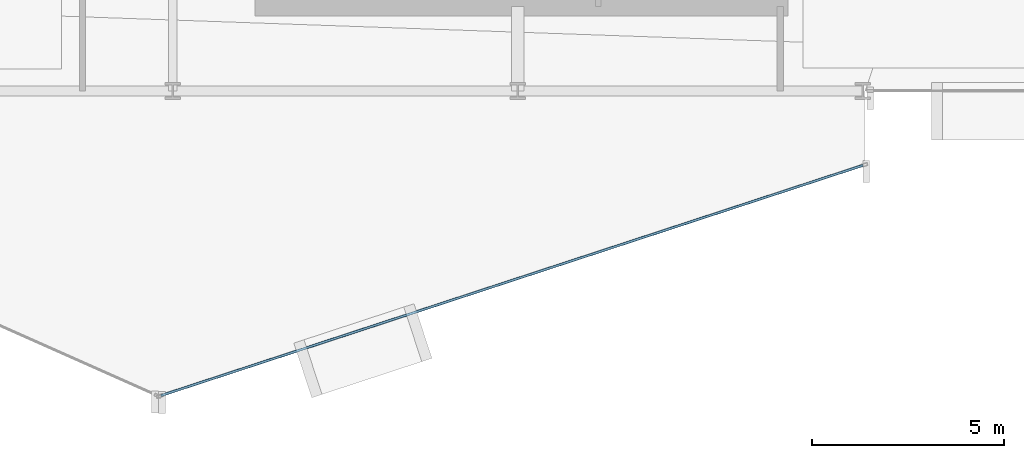
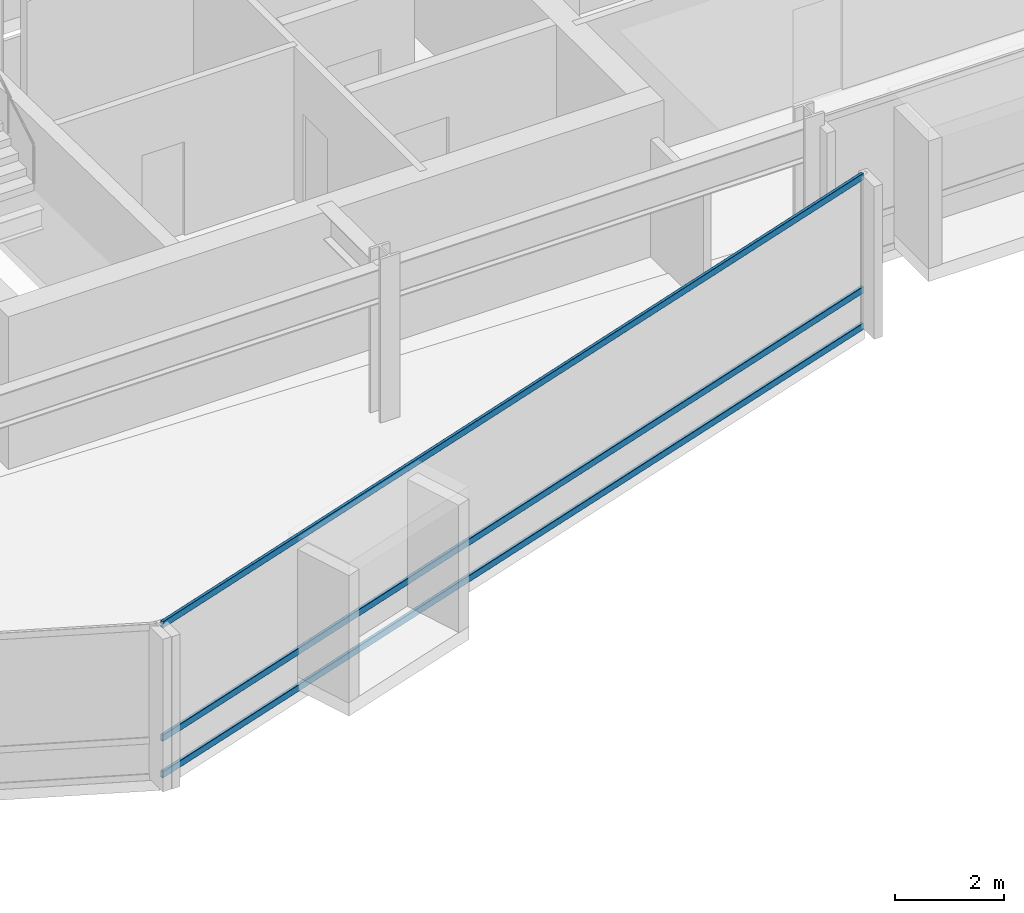
# One storey, part 9 of 29: 3 members, 1 element without a shape of its own.
"""IFC4 building model written with IfcOpenShell, lengths in metres."""

import ifcopenshell
import ifcopenshell.guid

model = None  # the IFC model being written
_history = None  # IfcOwnerHistory: only IFC2X3 demands one
_inside = {}  # id of a spatial element -> (the spatial element, [elements in it])
_under = {}  # id of a project, library or spatial element -> (it, [spatial elements below it])
_declared = {}  # id of a project -> (the project, [libraries it declares])
_typed = {}  # id of a type object -> (the type object, [elements of that type])
_made_of = {}  # id of a material, layer set ... -> (it, [elements and type objects made of it])


def new_model(schema):
    """Start an empty IFC model of exactly this schema.

    Asked for "IFC4X3", IfcOpenShell would pick the latest addendum, in which some entities
    have other attributes; the version numbers below select the first issue.
    IFC2X3 requires an IfcOwnerHistory on every rooted entity: one is made here for all.
    """
    global model, _history
    if schema == "IFC4X3":
        model = ifcopenshell.file(schema_version=(4, 3, 0, 0))
    else:
        model = ifcopenshell.file(schema=schema)
    _inside.clear()
    _under.clear()
    _declared.clear()
    _typed.clear()
    _made_of.clear()
    _history = None
    if model.schema == "IFC2X3":
        org = make("IfcOrganization", Name="unknown")
        user = make(
            "IfcPersonAndOrganization",
            ThePerson=make("IfcPerson", FamilyName="unknown"),
            TheOrganization=org,
        )
        app = make(
            "IfcApplication",
            ApplicationDeveloper=org,
            Version="unknown",
            ApplicationFullName="unknown",
            ApplicationIdentifier="unknown",
        )
        _history = make(
            "IfcOwnerHistory",
            OwningUser=user,
            OwningApplication=app,
            ChangeAction="ADDED",
            CreationDate=0,
        )
    return model


def make(cls, **values):
    """One entity of the class cls with the attributes given. An attribute that is None is left unset."""
    return model.create_entity(
        cls, **{name: value for name, value in values.items() if value is not None}
    )


def rooted(cls, **values):
    """An entity with a GlobalId (a new one), such as an element, a storey or a relation."""
    return make(cls, GlobalId=ifcopenshell.guid.new(), OwnerHistory=_history, **values)


def si_unit(unit_type, name, prefix=None):
    """IfcSIUnit, for example si_unit("LENGTHUNIT", "METRE", prefix="MILLI")."""
    return make("IfcSIUnit", UnitType=unit_type, Prefix=prefix, Name=name)


def assignment(units):
    """IfcUnitAssignment: the units of a project."""
    return None if units is None else make("IfcUnitAssignment", Units=units)


def point(xyz):
    """IfcCartesianPoint."""
    return None if xyz is None else make("IfcCartesianPoint", Coordinates=xyz)


def direction(xyz):
    """IfcDirection."""
    return None if xyz is None else make("IfcDirection", DirectionRatios=xyz)


def frame(location, z_axis=None, x_axis=None):
    """IfcAxis2Placement3D, a coordinate frame: its origin and axes. An axis left out is left unset."""
    return make(
        "IfcAxis2Placement3D",
        Location=point(location),
        Axis=direction(z_axis),
        RefDirection=direction(x_axis),
    )


def frame_2d(location, x_axis=None):
    """IfcAxis2Placement2D, a coordinate frame in the plane: its origin and x axis."""
    return make(
        "IfcAxis2Placement2D", Location=point(location), RefDirection=direction(x_axis)
    )


def origin():
    """The frame at (0, 0, 0) with its axes left unset."""
    return frame((0.0, 0.0, 0.0))


def origin_2d():
    """The frame at (0, 0) in the plane with its x axis left unset."""
    return frame_2d((0.0, 0.0))


def place(relative_to, where):
    """IfcLocalPlacement: puts the frame where relative to a parent placement (None: the world)."""
    return make(
        "IfcLocalPlacement", PlacementRelTo=relative_to, RelativePlacement=where
    )


def context(
    kind, dimensions, precision=None, world=None, true_north=None, identifier=None
):
    """IfcGeometricRepresentationContext, for example the 3D "Model" context."""
    return make(
        "IfcGeometricRepresentationContext",
        ContextIdentifier=identifier,
        ContextType=kind,
        CoordinateSpaceDimension=dimensions,
        Precision=precision,
        WorldCoordinateSystem=world,
        TrueNorth=true_north,
    )


def subcontext(parent, identifier, kind, view, scale=None):
    """IfcGeometricRepresentationSubContext, for example "Body" below "Model"."""
    return make(
        "IfcGeometricRepresentationSubContext",
        ContextIdentifier=identifier,
        ContextType=kind,
        ParentContext=parent,
        TargetScale=scale,
        TargetView=view,
    )


def project(units=None, contexts=None):
    """IfcProject with its units and contexts."""
    return rooted(
        "IfcProject",
        Name="project",
        RepresentationContexts=contexts,
        UnitsInContext=assignment(units),
    )


def spatial(cls, under=None, at=None, **own):
    """A site, building, storey or space (cls), placed at a placement, below another one or the project."""
    s = rooted(cls, ObjectPlacement=at, **own)
    if under is not None:
        _under.setdefault(under.id(), (under, []))[1].append(s)
    return s


def profile(cls, at=None, kind="AREA", **sizes):
    """A parametric profile (cls). Its sizes go by their IFC names, for example OverallWidth=200.0."""
    return make(cls, ProfileType=kind, Position=at, **sizes)


def hollow_rectangle(**sizes):
    """IfcRectangleHollowProfileDef."""
    return profile("IfcRectangleHollowProfileDef", **sizes)


def extrude(swept, where, along, depth):
    """IfcExtrudedAreaSolid: the profile swept, set in the frame where, extruded along a direction by depth."""
    return make(
        "IfcExtrudedAreaSolid",
        SweptArea=swept,
        Position=where,
        ExtrudedDirection=direction(along),
        Depth=depth,
    )


def shape(context_of_items, identifier, shape_type, items):
    """IfcShapeRepresentation: the items that make up one representation, for example the "Body"."""
    return make(
        "IfcShapeRepresentation",
        ContextOfItems=context_of_items,
        RepresentationIdentifier=identifier,
        RepresentationType=shape_type,
        Items=items,
    )


def material(Name=None, Category=None):
    """IfcMaterial."""
    return make("IfcMaterial", Name=Name, Category=Category)


def layer(
    of_material, thickness, ventilated=None, Name=None, Category=None, Priority=None
):
    """IfcMaterialLayer: one layer of a wall or slab, of a material (None: an air gap)."""
    return make(
        "IfcMaterialLayer",
        Material=of_material,
        LayerThickness=thickness,
        IsVentilated=ventilated,
        Name=Name,
        Category=Category,
        Priority=Priority,
    )


def layer_set(layers, Name=None):
    """IfcMaterialLayerSet."""
    return make("IfcMaterialLayerSet", MaterialLayers=layers, LayerSetName=Name)


def material_profile(
    of_material, cross_section, Name=None, Category=None, Priority=None
):
    """IfcMaterialProfile: a cross section and its material."""
    return make(
        "IfcMaterialProfile",
        Name=Name,
        Material=of_material,
        Profile=cross_section,
        Priority=Priority,
        Category=Category,
    )


def profile_set(profiles, Name=None, composite=None):
    """IfcMaterialProfileSet."""
    return make(
        "IfcMaterialProfileSet",
        Name=Name,
        MaterialProfiles=profiles,
        CompositeProfile=composite,
    )


def made_of(thing, what):
    """Note that an element or type object is made of a material, layer set ...; save() writes the relation."""
    if what is not None:
        _made_of.setdefault(what.id(), (what, []))[1].append(thing)
    return thing


def type_object(cls, material=None, **own):
    """A type object (cls), such as IfcWallType, which elements share."""
    return made_of(rooted(cls, **own), material)


def element(
    cls,
    number,
    at=None,
    inside=None,
    cuts=None,
    type_object=None,
    material=None,
    context=None,
    identifier="Body",
    shape_type=None,
    held_by="IfcProductDefinitionShape",
    body=None,
    shapes=None,
    **own,
):
    """One element of the class cls, such as IfcWall. Its Tag is "e" and its number.

    at: its placement. inside: the storey or other place that contains it. cuts: it is an
    opening in that element (IfcRelVoidsElement). A single representation is given by context,
    identifier, shape_type and body (its items); several are given by shapes. held_by: the class
    of the entity that holds the representations. save() writes the other relations.
    """
    e = rooted(cls, Tag="e%d" % number, ObjectPlacement=at, **own)
    if body is not None:
        shapes = [shape(context, identifier, shape_type, body)]
    if shapes is not None:
        e.Representation = make(held_by, Representations=shapes)
    if inside is not None:
        _inside.setdefault(inside.id(), (inside, []))[1].append(e)
    if cuts is not None:
        rooted(
            "IfcRelVoidsElement", RelatingBuildingElement=cuts, RelatedOpeningElement=e
        )
    if type_object is not None:
        _typed.setdefault(type_object.id(), (type_object, []))[1].append(e)
    return made_of(e, material)


def aggregate(whole, parts):
    """IfcRelAggregates: a whole, such as a stair, and the parts it consists of."""
    return rooted("IfcRelAggregates", RelatingObject=whole, RelatedObjects=parts)


def save(model, path):
    """Write the relations noted so far, then the file.

    IfcRelAggregates (storeys below a building ...), IfcRelContainedInSpatialStructure (elements
    in a storey), IfcRelDefinesByType, IfcRelAssociatesMaterial and IfcRelDeclares: one each for
    every whole, place, type object, material and project.
    """
    for whole, parts in _under.values():
        aggregate(whole, parts)
    for where, things in _inside.values():
        rooted(
            "IfcRelContainedInSpatialStructure",
            RelatedElements=things,
            RelatingStructure=where,
        )
    for kind, things in _typed.values():
        rooted("IfcRelDefinesByType", RelatedObjects=things, RelatingType=kind)
    for what, things in _made_of.values():
        rooted("IfcRelAssociatesMaterial", RelatedObjects=things, RelatingMaterial=what)
    for by, libraries in _declared.values():
        rooted("IfcRelDeclares", RelatingContext=by, RelatedDefinitions=libraries)
    model.write(path)


model = new_model("IFC4")

# Units and contexts
model_context = context("Model", 3, precision=1e-05, world=origin(), true_north=direction((0.0, 1.0)))
body_context = subcontext(model_context, "Body", "Model", "MODEL_VIEW")
ifc_project = project(units=[si_unit("LENGTHUNIT", "METRE"), si_unit("AREAUNIT", "SQUARE_METRE"), si_unit("VOLUMEUNIT", "CUBIC_METRE"), si_unit("PLANEANGLEUNIT", "RADIAN"), si_unit("MASSUNIT", "GRAM", prefix="KILO")], contexts=[model_context])

# Site, building, storey
site_placement = place(None, origin())
site = spatial("IfcSite", under=ifc_project, at=site_placement, CompositionType="ELEMENT")
building_placement = place(site_placement, origin())
building = spatial("IfcBuilding", under=site, at=building_placement, Name="Solvaryn Broadcast Tower", CompositionType="ELEMENT")
storey_placement = place(building_placement, frame((0.0, 0.0, 143.300048828125)))
storey = spatial("IfcBuildingStorey", under=building, at=storey_placement, Name="L35", CompositionType="ELEMENT", Elevation=143.300048828125)

# Curtain wall, members
ifc_material_1 = material(Name="Aluminium and Terracotta Unitised Curtain Wall", Category="masonry")
ifc_layer = layer(ifc_material_1, 0.199951171875)
ifc_layer_set = layer_set([ifc_layer], Name="CW-SYS2-LOWMID")
curtain_wall_type = type_object("IfcCurtainWallType", Name="CW-SYS2-LOWMID", PredefinedType="NOTDEFINED", material=ifc_layer_set)
curtain_wall_placement = place(storey_placement, origin())
curtain_wall = element("IfcCurtainWall", 1, at=curtain_wall_placement, inside=storey, type_object=curtain_wall_type, Name="L35 Curtain Wall DR4", PredefinedType="NOTDEFINED")
ifc_material_2 = material(Name="Anodised Aluminium 6063-T6", Category="aluminium")
ifc_material_profile = material_profile(ifc_material_2, hollow_rectangle(XDim=0.06494140625, YDim=0.14990234375, WallThickness=0.00390625, InnerFilletRadius=0.00390625, OuterFilletRadius=0.008056640625, at=origin_2d()))
ifc_profile_set = profile_set([ifc_material_profile], Name="Anodised Aluminium 6063-T6")
member_type = type_object("IfcMemberType", Name="CW-TRN-150", PredefinedType="USERDEFINED", material=ifc_profile_set)
member_1_placement = place(storey_placement, frame((26.693115234375, 1.052734375, 0.030029296875), z_axis=(0.950198373323, 0.31164571445, 0.0), x_axis=(-0.31164571445, 0.950198373323, 0.0)))
member_1 = element("IfcMember", 2, at=member_1_placement, type_object=member_type, Name="CWS2 transom 1.1", ObjectType="TRANSOM", PredefinedType="USERDEFINED", context=body_context, shape_type="SweptSolid", body=[
    extrude(hollow_rectangle(XDim=0.06494140625, YDim=0.14990234375, WallThickness=0.00390625, InnerFilletRadius=0.00390625, OuterFilletRadius=0.008056640625, at=origin_2d()), origin(), (0.0, 0.0, 1.0), 19.27685546875),
])
member_2_placement = place(storey_placement, frame((26.693115234375, 1.052734375, 0.849853515625), z_axis=(0.950198373323, 0.31164571445, 0.0), x_axis=(-0.31164571445, 0.950198373323, 0.0)))
member_2 = element("IfcMember", 3, at=member_2_placement, type_object=member_type, Name="CWS2 transom 1.2", ObjectType="TRANSOM", PredefinedType="USERDEFINED", context=body_context, shape_type="SweptSolid", body=[
    extrude(hollow_rectangle(XDim=0.06494140625, YDim=0.14990234375, WallThickness=0.00390625, InnerFilletRadius=0.00390625, OuterFilletRadius=0.008056640625, at=origin_2d()), origin(), (0.0, 0.0, 1.0), 19.27685546875),
])
member_3_placement = place(storey_placement, frame((26.693115234375, 1.052734375, 3.389892578125), z_axis=(0.950198373323, 0.31164571445, 0.0), x_axis=(-0.31164571445, 0.950198373323, 0.0)))
member_3 = element("IfcMember", 4, at=member_3_placement, type_object=member_type, Name="CWS2 transom 1.3", ObjectType="TRANSOM", PredefinedType="USERDEFINED", context=body_context, shape_type="SweptSolid", body=[
    extrude(hollow_rectangle(XDim=0.06494140625, YDim=0.14990234375, WallThickness=0.00390625, InnerFilletRadius=0.00390625, OuterFilletRadius=0.008056640625, at=origin_2d()), origin(), (0.0, 0.0, 1.0), 19.27685546875),
])
aggregate(curtain_wall, [member_1, member_2, member_3])

save(model, "model.ifc")
